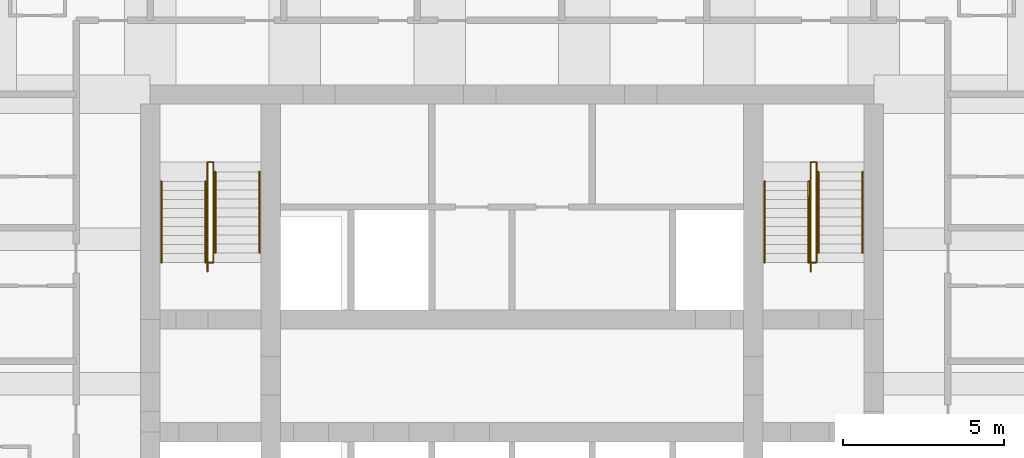
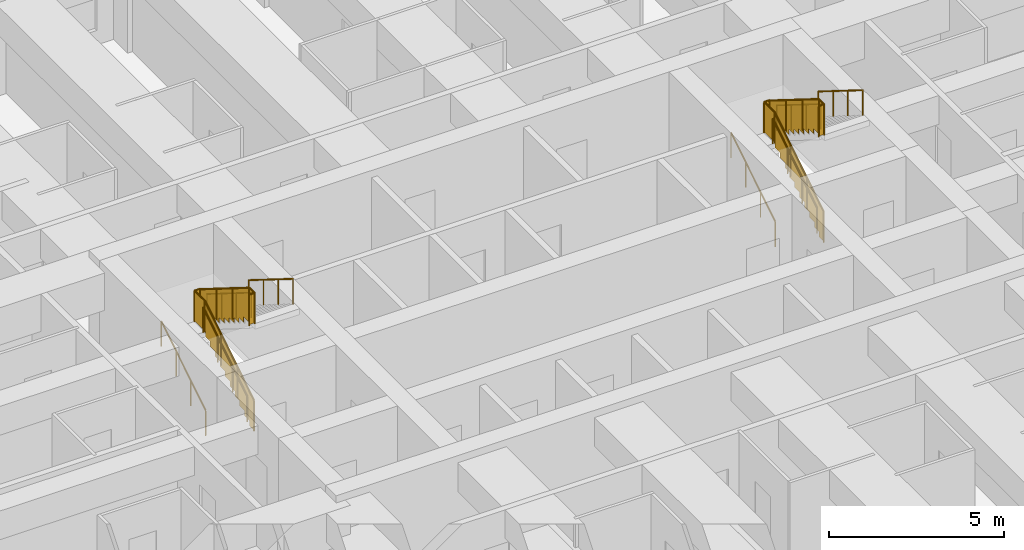
# One storey, part 8 of 8: 12 railings.
"""IFC4 building model written with IfcOpenShell, lengths in metres."""

from ifc_helpers import new_model, si_unit, direction, frame, origin, origin_2d, place, context, subcontext, project, spatial, polyline, circle, outline, extrude, material, type_object, element, save


model = new_model("IFC4")

# Units and contexts
model_context = context("Model", 3, precision=1e-05, world=origin(), true_north=direction((0.0, 1.0)))
body_context = subcontext(model_context, "Body", "Model", "MODEL_VIEW")
ifc_project = project(units=[si_unit("LENGTHUNIT", "METRE"), si_unit("AREAUNIT", "SQUARE_METRE"), si_unit("VOLUMEUNIT", "CUBIC_METRE"), si_unit("PLANEANGLEUNIT", "RADIAN"), si_unit("MASSUNIT", "GRAM", prefix="KILO")], contexts=[model_context])

# Site, building, storey
site_placement = place(None, origin())
site = spatial("IfcSite", under=ifc_project, at=site_placement, CompositionType="ELEMENT")
building_placement = place(site_placement, origin())
building = spatial("IfcBuilding", under=site, at=building_placement, Name="Kilele Tower Hotel", CompositionType="ELEMENT")
storey_placement = place(building_placement, frame((0.0, 0.0, 43.699951171875)))
storey = spatial("IfcBuildingStorey", under=building, at=storey_placement, Name="L09", CompositionType="ELEMENT", Elevation=43.699951171875)

# Railings
ifc_material_1 = material(Name="Steel handrail", Category="steel")
railing_type_1 = type_object("IfcRailingType", Name="Handrail 900", PredefinedType="HANDRAIL", material=ifc_material_1)
for number, where, name in (
    (1, (13.85009765625, 21.77490234375, 0.175048828125), "Handrail ST1 flight 1"),
    (2, (15.22509765625, 21.77490234375, 0.175048828125), "Handrail ST1 flight 1"),
):
    element("IfcRailing", number, at=place(storey_placement, frame(where)), inside=storey, type_object=railing_type_1, Name=name, PredefinedType="HANDRAIL", context=body_context, shape_type="SweptSolid", body=[
        extrude(circle(Radius=0.02490234375, at=origin_2d()), frame((0.0, 0.0, 0.875), z_axis=(0.0, 0.848007534815, 0.529984170421), x_axis=(-1.0, 0.0, 0.0)), (0.0, 0.0, 1.0), 2.9716796875),
        extrude(circle(Radius=0.02001953125, at=origin_2d()), origin(), (0.0, 0.0, 1.0), 0.849853515625),
        extrude(circle(Radius=0.02001953125, at=origin_2d()), frame((0.0, 0.840087890625, 0.52490234375)), (0.0, 0.0, 1.0), 0.849853515625),
        extrude(circle(Radius=0.02001953125, at=origin_2d()), frame((0.0, 1.679931640625, 1.050048828125)), (0.0, 0.0, 1.0), 0.849853515625),
        extrude(circle(Radius=0.02001953125, at=origin_2d()), frame((0.0, 2.52001953125, 1.574951171875)), (0.0, 0.0, 1.0), 0.849853515625),
    ])
for number, where, name in (
    (3, (15.52490234375, 24.594970703125, 1.925048828125), "Handrail ST1 flight 2"),
    (4, (16.89990234375, 24.594970703125, 1.925048828125), "Handrail ST1 flight 2"),
):
    element("IfcRailing", number, at=place(storey_placement, frame(where)), inside=storey, type_object=railing_type_1, Name=name, PredefinedType="HANDRAIL", context=body_context, shape_type="SweptSolid", body=[
        extrude(circle(Radius=0.02490234375, at=origin_2d()), frame((0.0, 0.0, 0.875), z_axis=(0.0, -0.848007534815, 0.529984170421), x_axis=(1.0, 0.0, 0.0)), (0.0, 0.0, 1.0), 2.9716796875),
        extrude(circle(Radius=0.02001953125, at=origin_2d()), origin(), (0.0, 0.0, 1.0), 0.849853515625),
        extrude(circle(Radius=0.02001953125, at=origin_2d()), frame((0.0, -0.840087890625, 0.52490234375)), (0.0, 0.0, 1.0), 0.849853515625),
        extrude(circle(Radius=0.02001953125, at=origin_2d()), frame((0.0, -1.679931640625, 1.050048828125)), (0.0, 0.0, 1.0), 0.849853515625),
        extrude(circle(Radius=0.02001953125, at=origin_2d()), frame((0.0, -2.52001953125, 1.574951171875)), (0.0, 0.0, 1.0), 0.849853515625),
    ])
for number, where, name in (
    (5, (32.60009765625, 21.77490234375, 0.175048828125), "Handrail ST2 flight 1"),
    (6, (33.97509765625, 21.77490234375, 0.175048828125), "Handrail ST2 flight 1"),
):
    element("IfcRailing", number, at=place(storey_placement, frame(where)), inside=storey, type_object=railing_type_1, Name=name, PredefinedType="HANDRAIL", context=body_context, shape_type="SweptSolid", body=[
        extrude(circle(Radius=0.02490234375, at=origin_2d()), frame((0.0, 0.0, 0.875), z_axis=(0.0, 0.848007534815, 0.529984170421), x_axis=(-1.0, 0.0, 0.0)), (0.0, 0.0, 1.0), 2.9716796875),
        extrude(circle(Radius=0.02001953125, at=origin_2d()), origin(), (0.0, 0.0, 1.0), 0.849853515625),
        extrude(circle(Radius=0.02001953125, at=origin_2d()), frame((0.0, 0.840087890625, 0.52490234375)), (0.0, 0.0, 1.0), 0.849853515625),
        extrude(circle(Radius=0.02001953125, at=origin_2d()), frame((0.0, 1.679931640625, 1.050048828125)), (0.0, 0.0, 1.0), 0.849853515625),
        extrude(circle(Radius=0.02001953125, at=origin_2d()), frame((0.0, 2.52001953125, 1.574951171875)), (0.0, 0.0, 1.0), 0.849853515625),
    ])
for number, where, name in (
    (7, (34.27490234375, 24.594970703125, 1.925048828125), "Handrail ST2 flight 2"),
    (8, (35.64990234375, 24.594970703125, 1.925048828125), "Handrail ST2 flight 2"),
):
    element("IfcRailing", number, at=place(storey_placement, frame(where)), inside=storey, type_object=railing_type_1, Name=name, PredefinedType="HANDRAIL", context=body_context, shape_type="SweptSolid", body=[
        extrude(circle(Radius=0.02490234375, at=origin_2d()), frame((0.0, 0.0, 0.875), z_axis=(0.0, -0.848007534815, 0.529984170421), x_axis=(1.0, 0.0, 0.0)), (0.0, 0.0, 1.0), 2.9716796875),
        extrude(circle(Radius=0.02001953125, at=origin_2d()), origin(), (0.0, 0.0, 1.0), 0.849853515625),
        extrude(circle(Radius=0.02001953125, at=origin_2d()), frame((0.0, -0.840087890625, 0.52490234375)), (0.0, 0.0, 1.0), 0.849853515625),
        extrude(circle(Radius=0.02001953125, at=origin_2d()), frame((0.0, -1.679931640625, 1.050048828125)), (0.0, 0.0, 1.0), 0.849853515625),
        extrude(circle(Radius=0.02001953125, at=origin_2d()), frame((0.0, -2.52001953125, 1.574951171875)), (0.0, 0.0, 1.0), 0.849853515625),
    ])
ifc_material_2 = material(Name="Steel guard", Category="steel")
railing_type_2 = type_object("IfcRailingType", Name="Stair guard 1100", PredefinedType="GUARDRAIL", material=ifc_material_2)
railing_1_placement = place(storey_placement, frame((15.284912109375, 21.4951171875, 0.0)))
element("IfcRailing", 9, at=railing_1_placement, inside=storey, type_object=railing_type_2, Name="Stair well guard ST1 flight 1", PredefinedType="GUARDRAIL", context=body_context, shape_type="SweptSolid", body=[
    extrude(circle(Radius=0.02490234375, at=origin_2d()), frame((0.0, 0.0, 1.0751953125), z_axis=(0.0, 0.847981687118, 0.530025526095), x_axis=(-1.0, 0.0, 0.0)), (0.0, 0.0, 1.0), 3.3017578125),
    extrude(circle(Radius=0.02490234375, at=origin_2d()), frame((0.0, 2.7998046875, 2.8251953125), z_axis=(0.0, 1.0, 0.0), x_axis=(-1.0, 0.0, 0.0)), (0.0, 0.0, 1.0), 0.60009765625),
    extrude(circle(Radius=0.02490234375, at=origin_2d()), frame((0.0, 3.39990234375, 2.8251953125), z_axis=(1.0, 0.0, 0.0), x_axis=(0.0, 1.0, 0.0)), (0.0, 0.0, 1.0), 0.18017578125),
    extrude(circle(Radius=0.02490234375, at=origin_2d()), origin(), (0.0, 0.0, 1.0), 1.050048828125),
    extrude(circle(Radius=0.02490234375, at=origin_2d()), frame((0.0, 0.933349609375, 0.583251953125)), (0.0, 0.0, 1.0), 1.050048828125),
    extrude(circle(Radius=0.02490234375, at=origin_2d()), frame((0.0, 1.866455078125, 1.166748046875)), (0.0, 0.0, 1.0), 1.050048828125),
    extrude(circle(Radius=0.02490234375, at=origin_2d()), frame((0.0, 2.7998046875, 1.75)), (0.0, 0.0, 1.0), 1.050048828125),
    extrude(circle(Radius=0.02490234375, at=origin_2d()), frame((0.0, 3.39990234375, 1.75)), (0.0, 0.0, 1.0), 1.050048828125),
    extrude(circle(Radius=0.02490234375, at=origin_2d()), frame((0.18017578125, 3.39990234375, 1.75)), (0.0, 0.0, 1.0), 1.050048828125),
    extrude(outline(polyline([(0.012451171875, 0.030029296875), (0.25, 0.030029296875), (0.25, 0.205078125), (0.530029296875, 0.205078125), (0.530029296875, 0.380126953125), (0.809814453125, 0.380126953125), (0.809814453125, 0.554931640625), (1.08984375, 0.554931640625), (1.08984375, 0.72998046875), (1.369873046875, 0.72998046875), (1.369873046875, 0.905029296875), (1.64990234375, 0.905029296875), (1.64990234375, 1.080078125), (1.929931640625, 1.080078125), (1.929931640625, 1.255126953125), (2.209716796875, 1.255126953125), (2.209716796875, 1.429931640625), (2.48974609375, 1.429931640625), (2.48974609375, 1.60498046875), (2.769775390625, 1.60498046875), (2.769775390625, 1.780029296875), (2.787353515625, 1.780029296875), (2.787353515625, 2.787841796875), (0.012451171875, 1.053466796875), (0.012451171875, 0.030029296875)])), frame((-0.005859375, 0.0, 0.0), z_axis=(1.0, 0.0, 0.0), x_axis=(0.0, 1.0, 0.0)), (0.0, 0.0, 1.0), 0.011962890625),
    extrude(outline(polyline([(0.012451171875, 0.030029296875), (0.587646484375, 0.030029296875), (0.587646484375, 1.050048828125), (0.012451171875, 1.050048828125), (0.012451171875, 0.030029296875)])), frame((-0.005859375, 2.7998046875, 1.75), z_axis=(1.0, 0.0, 0.0), x_axis=(0.0, 1.0, 0.0)), (0.0, 0.0, 1.0), 0.011962890625),
    extrude(outline(polyline([(0.012451171875, 0.030029296875), (0.18017578125, 0.030029296875), (0.18017578125, 1.050048828125), (0.012451171875, 1.050048828125), (0.012451171875, 0.030029296875)])), frame((0.0, 3.40576171875, 1.75), z_axis=(0.0, -1.0, 0.0), x_axis=(1.0, 0.0, 0.0)), (0.0, 0.0, 1.0), 0.011962890625),
])
railing_2_placement = place(storey_placement, frame((15.465087890625, 24.89501953125, 1.75)))
element("IfcRailing", 10, at=railing_2_placement, inside=storey, type_object=railing_type_2, Name="Stair well guard ST1 flight 2", PredefinedType="GUARDRAIL", context=body_context, shape_type="SweptSolid", body=[
    extrude(circle(Radius=0.02490234375, at=origin_2d()), frame((0.0, 0.0, 1.0751953125), z_axis=(0.0, -1.0, 0.0), x_axis=(1.0, 0.0, 0.0)), (0.0, 0.0, 1.0), 0.02001953125),
    extrude(circle(Radius=0.02490234375, at=origin_2d()), frame((0.0, -0.02001953125, 1.0751953125), z_axis=(0.0, -0.848002457836, 0.529992293815), x_axis=(1.0, 0.0, 0.0)), (0.0, 0.0, 1.0), 3.302001953125),
    extrude(circle(Radius=0.02490234375, at=origin_2d()), frame((0.0, -2.820068359375, 2.8251953125), z_axis=(0.0, -1.0, 0.0), x_axis=(1.0, 0.0, 0.0)), (0.0, 0.0, 1.0), 0.300048828125),
    extrude(circle(Radius=0.02490234375, at=origin_2d()), frame((0.0, -3.1201171875, 2.8251953125), z_axis=(-1.0, 0.0, 0.0), x_axis=(0.0, -1.0, 0.0)), (0.0, 0.0, 1.0), 0.18017578125),
    extrude(circle(Radius=0.02490234375, at=origin_2d()), origin(), (0.0, 0.0, 1.0), 1.050048828125),
    extrude(circle(Radius=0.02490234375, at=origin_2d()), frame((0.0, -0.02001953125, 0.0)), (0.0, 0.0, 1.0), 1.050048828125),
    extrude(circle(Radius=0.02490234375, at=origin_2d()), frame((0.0, -0.953369140625, 0.583251953125)), (0.0, 0.0, 1.0), 1.050048828125),
    extrude(circle(Radius=0.02490234375, at=origin_2d()), frame((0.0, -1.88671875, 1.166748046875)), (0.0, 0.0, 1.0), 1.050048828125),
    extrude(circle(Radius=0.02490234375, at=origin_2d()), frame((0.0, -2.820068359375, 1.75)), (0.0, 0.0, 1.0), 1.050048828125),
    extrude(circle(Radius=0.02490234375, at=origin_2d()), frame((0.0, -3.1201171875, 1.75)), (0.0, 0.0, 1.0), 1.050048828125),
    extrude(circle(Radius=0.02490234375, at=origin_2d()), frame((-0.18017578125, -3.1201171875, 1.75)), (0.0, 0.0, 1.0), 1.050048828125),
    extrude(outline(polyline([(0.012451171875, 0.030029296875), (0.25, 0.030029296875), (0.25, 0.205078125), (0.530029296875, 0.205078125), (0.530029296875, 0.380126953125), (0.81005859375, 0.380126953125), (0.81005859375, 0.554931640625), (1.090087890625, 0.554931640625), (1.090087890625, 0.72998046875), (1.3701171875, 0.72998046875), (1.3701171875, 0.905029296875), (1.64990234375, 0.905029296875), (1.64990234375, 1.080078125), (1.929931640625, 1.080078125), (1.929931640625, 1.255126953125), (2.2099609375, 1.255126953125), (2.2099609375, 1.429931640625), (2.489990234375, 1.429931640625), (2.489990234375, 1.60498046875), (2.77001953125, 1.60498046875), (2.77001953125, 1.780029296875), (2.78759765625, 1.780029296875), (2.78759765625, 2.787841796875), (0.012451171875, 1.053466796875), (0.012451171875, 0.030029296875)])), frame((0.005859375, -0.02001953125, 0.0), z_axis=(-1.0, 0.0, 0.0), x_axis=(0.0, -1.0, 0.0)), (0.0, 0.0, 1.0), 0.011962890625),
    extrude(outline(polyline([(0.012451171875, 0.030029296875), (0.28759765625, 0.030029296875), (0.28759765625, 1.050048828125), (0.012451171875, 1.050048828125), (0.012451171875, 0.030029296875)])), frame((0.005859375, -2.820068359375, 1.75), z_axis=(-1.0, 0.0, 0.0), x_axis=(0.0, -1.0, 0.0)), (0.0, 0.0, 1.0), 0.011962890625),
    extrude(outline(polyline([(0.012451171875, 0.030029296875), (0.18017578125, 0.030029296875), (0.18017578125, 1.050048828125), (0.012451171875, 1.050048828125), (0.012451171875, 0.030029296875)])), frame((0.0, -3.1259765625, 1.75), z_axis=(0.0, 1.0, 0.0), x_axis=(-1.0, 0.0, 0.0)), (0.0, 0.0, 1.0), 0.011962890625),
])
railing_3_placement = place(storey_placement, frame((34.034912109375, 21.4951171875, 0.0)))
element("IfcRailing", 11, at=railing_3_placement, inside=storey, type_object=railing_type_2, Name="Stair well guard ST2 flight 1", PredefinedType="GUARDRAIL", context=body_context, shape_type="SweptSolid", body=[
    extrude(circle(Radius=0.02490234375, at=origin_2d()), frame((0.0, 0.0, 1.0751953125), z_axis=(0.0, 0.847981687118, 0.530025526095), x_axis=(-1.0, 0.0, 0.0)), (0.0, 0.0, 1.0), 3.3017578125),
    extrude(circle(Radius=0.02490234375, at=origin_2d()), frame((0.0, 2.7998046875, 2.8251953125), z_axis=(0.0, 1.0, 0.0), x_axis=(-1.0, 0.0, 0.0)), (0.0, 0.0, 1.0), 0.60009765625),
    extrude(circle(Radius=0.02490234375, at=origin_2d()), frame((0.0, 3.39990234375, 2.8251953125), z_axis=(1.0, 0.0, 0.0), x_axis=(0.0, 1.0, 0.0)), (0.0, 0.0, 1.0), 0.18017578125),
    extrude(circle(Radius=0.02490234375, at=origin_2d()), origin(), (0.0, 0.0, 1.0), 1.050048828125),
    extrude(circle(Radius=0.02490234375, at=origin_2d()), frame((0.0, 0.933349609375, 0.583251953125)), (0.0, 0.0, 1.0), 1.050048828125),
    extrude(circle(Radius=0.02490234375, at=origin_2d()), frame((0.0, 1.866455078125, 1.166748046875)), (0.0, 0.0, 1.0), 1.050048828125),
    extrude(circle(Radius=0.02490234375, at=origin_2d()), frame((0.0, 2.7998046875, 1.75)), (0.0, 0.0, 1.0), 1.050048828125),
    extrude(circle(Radius=0.02490234375, at=origin_2d()), frame((0.0, 3.39990234375, 1.75)), (0.0, 0.0, 1.0), 1.050048828125),
    extrude(circle(Radius=0.02490234375, at=origin_2d()), frame((0.18017578125, 3.39990234375, 1.75)), (0.0, 0.0, 1.0), 1.050048828125),
    extrude(outline(polyline([(0.012451171875, 0.030029296875), (0.25, 0.030029296875), (0.25, 0.205078125), (0.530029296875, 0.205078125), (0.530029296875, 0.380126953125), (0.809814453125, 0.380126953125), (0.809814453125, 0.554931640625), (1.08984375, 0.554931640625), (1.08984375, 0.72998046875), (1.369873046875, 0.72998046875), (1.369873046875, 0.905029296875), (1.64990234375, 0.905029296875), (1.64990234375, 1.080078125), (1.929931640625, 1.080078125), (1.929931640625, 1.255126953125), (2.209716796875, 1.255126953125), (2.209716796875, 1.429931640625), (2.48974609375, 1.429931640625), (2.48974609375, 1.60498046875), (2.769775390625, 1.60498046875), (2.769775390625, 1.780029296875), (2.787353515625, 1.780029296875), (2.787353515625, 2.787841796875), (0.012451171875, 1.053466796875), (0.012451171875, 0.030029296875)])), frame((-0.005859375, 0.0, 0.0), z_axis=(1.0, 0.0, 0.0), x_axis=(0.0, 1.0, 0.0)), (0.0, 0.0, 1.0), 0.011962890625),
    extrude(outline(polyline([(0.012451171875, 0.030029296875), (0.587646484375, 0.030029296875), (0.587646484375, 1.050048828125), (0.012451171875, 1.050048828125), (0.012451171875, 0.030029296875)])), frame((-0.005859375, 2.7998046875, 1.75), z_axis=(1.0, 0.0, 0.0), x_axis=(0.0, 1.0, 0.0)), (0.0, 0.0, 1.0), 0.011962890625),
    extrude(outline(polyline([(0.012451171875, 0.030029296875), (0.18017578125, 0.030029296875), (0.18017578125, 1.050048828125), (0.012451171875, 1.050048828125), (0.012451171875, 0.030029296875)])), frame((0.0, 3.40576171875, 1.75), z_axis=(0.0, -1.0, 0.0), x_axis=(1.0, 0.0, 0.0)), (0.0, 0.0, 1.0), 0.011962890625),
])
railing_4_placement = place(storey_placement, frame((34.215087890625, 24.89501953125, 1.75)))
element("IfcRailing", 12, at=railing_4_placement, inside=storey, type_object=railing_type_2, Name="Stair well guard ST2 flight 2", PredefinedType="GUARDRAIL", context=body_context, shape_type="SweptSolid", body=[
    extrude(circle(Radius=0.02490234375, at=origin_2d()), frame((0.0, 0.0, 1.0751953125), z_axis=(0.0, -1.0, 0.0), x_axis=(1.0, 0.0, 0.0)), (0.0, 0.0, 1.0), 0.02001953125),
    extrude(circle(Radius=0.02490234375, at=origin_2d()), frame((0.0, -0.02001953125, 1.0751953125), z_axis=(0.0, -0.848002457836, 0.529992293815), x_axis=(1.0, 0.0, 0.0)), (0.0, 0.0, 1.0), 3.302001953125),
    extrude(circle(Radius=0.02490234375, at=origin_2d()), frame((0.0, -2.820068359375, 2.8251953125), z_axis=(0.0, -1.0, 0.0), x_axis=(1.0, 0.0, 0.0)), (0.0, 0.0, 1.0), 0.300048828125),
    extrude(circle(Radius=0.02490234375, at=origin_2d()), frame((0.0, -3.1201171875, 2.8251953125), z_axis=(-1.0, 0.0, 0.0), x_axis=(0.0, -1.0, 0.0)), (0.0, 0.0, 1.0), 0.18017578125),
    extrude(circle(Radius=0.02490234375, at=origin_2d()), origin(), (0.0, 0.0, 1.0), 1.050048828125),
    extrude(circle(Radius=0.02490234375, at=origin_2d()), frame((0.0, -0.02001953125, 0.0)), (0.0, 0.0, 1.0), 1.050048828125),
    extrude(circle(Radius=0.02490234375, at=origin_2d()), frame((0.0, -0.953369140625, 0.583251953125)), (0.0, 0.0, 1.0), 1.050048828125),
    extrude(circle(Radius=0.02490234375, at=origin_2d()), frame((0.0, -1.88671875, 1.166748046875)), (0.0, 0.0, 1.0), 1.050048828125),
    extrude(circle(Radius=0.02490234375, at=origin_2d()), frame((0.0, -2.820068359375, 1.75)), (0.0, 0.0, 1.0), 1.050048828125),
    extrude(circle(Radius=0.02490234375, at=origin_2d()), frame((0.0, -3.1201171875, 1.75)), (0.0, 0.0, 1.0), 1.050048828125),
    extrude(circle(Radius=0.02490234375, at=origin_2d()), frame((-0.18017578125, -3.1201171875, 1.75)), (0.0, 0.0, 1.0), 1.050048828125),
    extrude(outline(polyline([(0.012451171875, 0.030029296875), (0.25, 0.030029296875), (0.25, 0.205078125), (0.530029296875, 0.205078125), (0.530029296875, 0.380126953125), (0.81005859375, 0.380126953125), (0.81005859375, 0.554931640625), (1.090087890625, 0.554931640625), (1.090087890625, 0.72998046875), (1.3701171875, 0.72998046875), (1.3701171875, 0.905029296875), (1.64990234375, 0.905029296875), (1.64990234375, 1.080078125), (1.929931640625, 1.080078125), (1.929931640625, 1.255126953125), (2.2099609375, 1.255126953125), (2.2099609375, 1.429931640625), (2.489990234375, 1.429931640625), (2.489990234375, 1.60498046875), (2.77001953125, 1.60498046875), (2.77001953125, 1.780029296875), (2.78759765625, 1.780029296875), (2.78759765625, 2.787841796875), (0.012451171875, 1.053466796875), (0.012451171875, 0.030029296875)])), frame((0.005859375, -0.02001953125, 0.0), z_axis=(-1.0, 0.0, 0.0), x_axis=(0.0, -1.0, 0.0)), (0.0, 0.0, 1.0), 0.011962890625),
    extrude(outline(polyline([(0.012451171875, 0.030029296875), (0.28759765625, 0.030029296875), (0.28759765625, 1.050048828125), (0.012451171875, 1.050048828125), (0.012451171875, 0.030029296875)])), frame((0.005859375, -2.820068359375, 1.75), z_axis=(-1.0, 0.0, 0.0), x_axis=(0.0, -1.0, 0.0)), (0.0, 0.0, 1.0), 0.011962890625),
    extrude(outline(polyline([(0.012451171875, 0.030029296875), (0.18017578125, 0.030029296875), (0.18017578125, 1.050048828125), (0.012451171875, 1.050048828125), (0.012451171875, 0.030029296875)])), frame((0.0, -3.1259765625, 1.75), z_axis=(0.0, 1.0, 0.0), x_axis=(-1.0, 0.0, 0.0)), (0.0, 0.0, 1.0), 0.011962890625),
])

save(model, "model.ifc")
